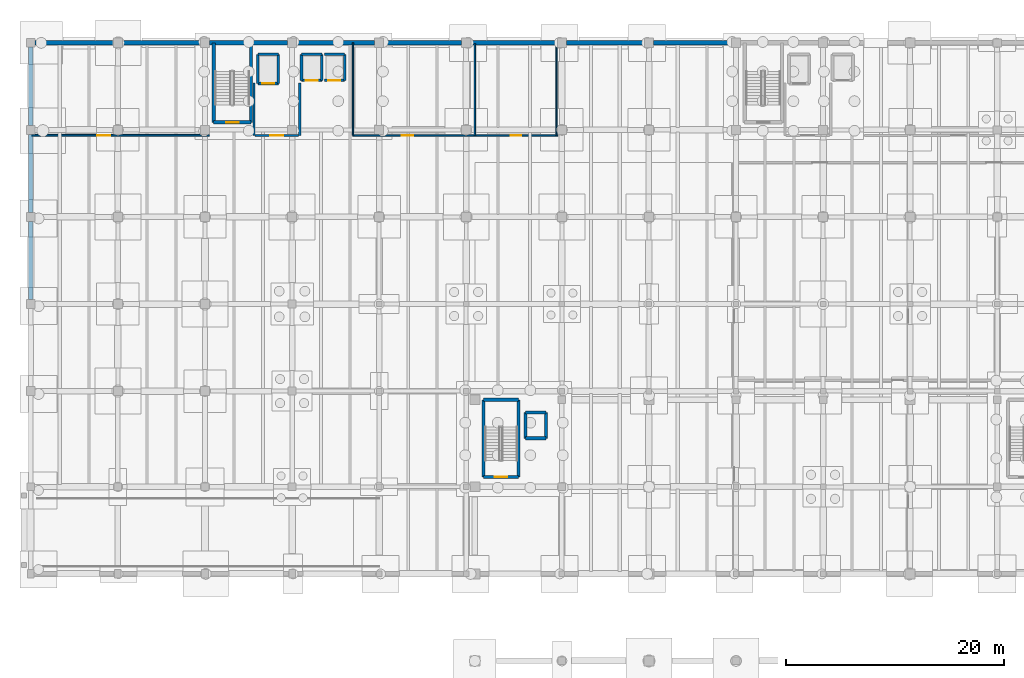
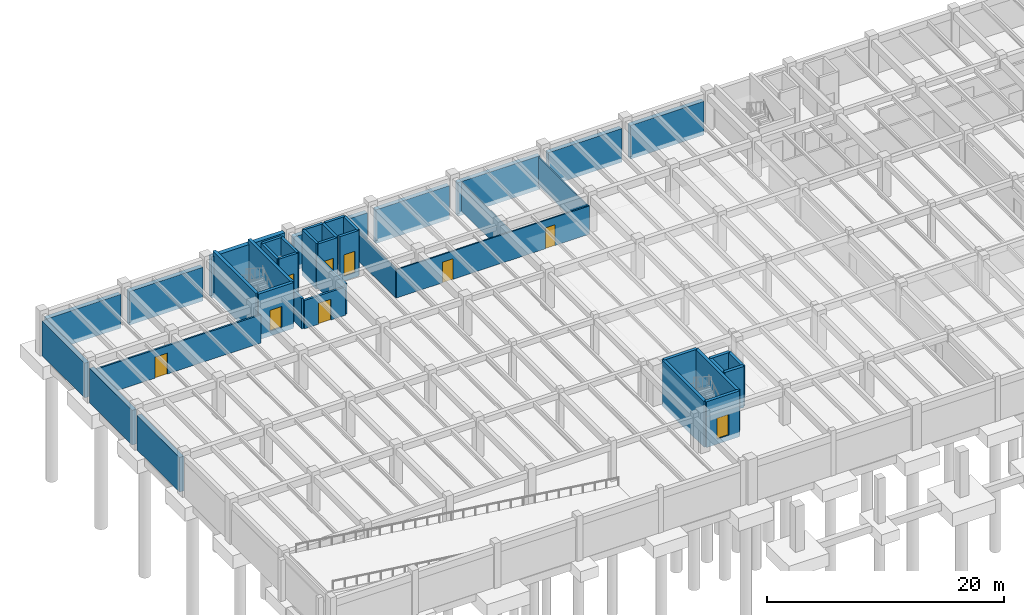
# One storey, part 14 of 25: 41 walls, 9 doors, 9 openings.
"""IFC4 building model written with IfcOpenShell, lengths in metres."""

from ifc_helpers import new_model, si_unit, direction, frame, frame_2d, origin, place, context, subcontext, project, spatial, rectangle, extrude, material, layer, layer_set, type_object, element, fill, save


model = new_model("IFC4")

# Units and contexts
model_context = context("Model", 3, precision=1e-05, world=origin(), true_north=direction((0.0, 1.0)))
body_context = subcontext(model_context, "Body", "Model", "MODEL_VIEW")
ifc_project = project(units=[si_unit("LENGTHUNIT", "METRE"), si_unit("AREAUNIT", "SQUARE_METRE"), si_unit("VOLUMEUNIT", "CUBIC_METRE"), si_unit("PLANEANGLEUNIT", "RADIAN"), si_unit("MASSUNIT", "GRAM", prefix="KILO")], contexts=[model_context])

# Site, building, storey
site_placement = place(None, origin())
site = spatial("IfcSite", under=ifc_project, at=site_placement, CompositionType="ELEMENT")
building_placement = place(site_placement, origin())
building = spatial("IfcBuilding", under=site, at=building_placement, Name="Tlaxcora Railside Police Headquarters", CompositionType="ELEMENT")
storey_placement = place(building_placement, frame((0.0, 0.0, -4.199951171875)))
storey = spatial("IfcBuildingStorey", under=building, at=storey_placement, Name="B1", CompositionType="ELEMENT", Elevation=-4.199951171875)

# Walls
ifc_material_1 = material(Name="Gypsum acoustic partition board")
ifc_layer_1 = layer(ifc_material_1, 0.10791015625, Name="Gypsum acoustic partition board")
ifc_layer_set_1 = layer_set([ifc_layer_1], Name="Gypsum acoustic partition board")
wall_type_1 = type_object("IfcWallType", Name="Interior Partition Wall IW-19", PredefinedType="PARTITIONING", material=ifc_layer_set_1)
wall_1_placement = place(storey_placement, frame((53.5, 84.300048828125, 0.0), z_axis=(0.0, 0.0, 1.0), x_axis=(0.0, 1.0, 0.0)))
element("IfcWall", 1, at=wall_1_placement, inside=storey, type_object=wall_type_1, Name="V5 B1 interior partition 8", PredefinedType="PARTITIONING", context=body_context, shape_type="SweptSolid", body=[
    extrude(rectangle(XDim=8.5, YDim=0.10791015625, at=frame_2d((4.25, 0.0))), origin(), (0.0, 0.0, 1.0), 2.9150390625),
])
ifc_layer_2 = layer(ifc_material_1, 0.1201171875, Name="Gypsum acoustic partition board")
ifc_layer_set_2 = layer_set([ifc_layer_2], Name="Gypsum acoustic partition board")
wall_type_2 = type_object("IfcWallType", Name="Interior Partition Wall IW-37", PredefinedType="PARTITIONING", material=ifc_layer_set_2)
wall_2_placement = place(storey_placement, frame((46.0, 84.300048828125, 0.0), z_axis=(0.0, 0.0, 1.0), x_axis=(0.0, 1.0, 0.0)))
element("IfcWall", 2, at=wall_2_placement, inside=storey, type_object=wall_type_2, Name="V5 B1 interior partition 15", PredefinedType="PARTITIONING", context=body_context, shape_type="SweptSolid", body=[
    extrude(rectangle(XDim=8.419921875, YDim=0.1201171875, at=frame_2d((4.2099609375, 0.0))), origin(), (0.0, 0.0, 1.0), 2.9150390625),
])

# Wall, openings, doors
ifc_layer_3 = layer(ifc_material_1, 0.1298828125, Name="Gypsum acoustic partition board")
ifc_layer_set_3 = layer_set([ifc_layer_3], Name="Gypsum acoustic partition board")
wall_type_3 = type_object("IfcWallType", Name="Interior Partition Wall IW-40", PredefinedType="PARTITIONING", material=ifc_layer_set_3)
wall_3_placement = place(storey_placement, frame((34.800048828125, 84.300048828125, 0.0), z_axis=(0.0, 0.0, 1.0), x_axis=(1.0, 0.0, 0.0)))
wall_3 = element("IfcWall", 3, at=wall_3_placement, inside=storey, type_object=wall_type_3, Name="V5 B1 interior partition 14", PredefinedType="PARTITIONING", context=body_context, shape_type="SweptSolid", body=[
    extrude(rectangle(XDim=18.800048828125, YDim=0.1298828125, at=frame_2d((9.39990234375, 0.0))), origin(), (0.0, 0.0, 1.0), 2.9150390625),
])
opening_1_placement = place(wall_3_placement, frame((4.5, 0.0, 0.0)))
opening_1 = element("IfcOpeningElement", 4, at=opening_1_placement, cuts=wall_3, Name="Opening D-B1-069", PredefinedType="OPENING", context=body_context, shape_type="SweptSolid", body=[
    extrude(rectangle(XDim=1.02001953125, YDim=2.1201171875, at=frame_2d((0.510009765625, 1.06005859375))), frame((0.0, 0.074951171875, 0.0), z_axis=(0.0, -1.0, 0.0), x_axis=(1.0, 0.0, 0.0)), (0.0, 0.0, 1.0), 0.14990234375),
])
opening_2_placement = place(wall_3_placement, frame((14.5, 0.0, 0.0)))
opening_2 = element("IfcOpeningElement", 5, at=opening_2_placement, cuts=wall_3, Name="Opening D-B1-070", PredefinedType="OPENING", context=body_context, shape_type="SweptSolid", body=[
    extrude(rectangle(XDim=0.949951171875, YDim=2.14990234375, at=frame_2d((0.47509765625, 1.074951171875))), frame((0.0, 0.074951171875, 0.0), z_axis=(0.0, -1.0, 0.0), x_axis=(1.0, 0.0, 0.0)), (0.0, 0.0, 1.0), 0.14990234375),
])
ifc_material_2 = material(Name="Steel ASTM A992 Grade 50", Category="steel")
door_type_1 = type_object("IfcDoorType", Name="Swing or Sliding Personnel Door ID-31", OperationType="NOTDEFINED", PredefinedType="DOOR", material=ifc_material_2)
door_1_placement = place(opening_2_placement, origin())
door_1 = element("IfcDoor", 6, at=door_1_placement, inside=storey, type_object=door_type_1, Name="V5 B1 door D-B1-070", OperationType="SINGLE_SWING_RIGHT", OverallHeight=2.14990234375, OverallWidth=0.949951171875, PredefinedType="DOOR", context=body_context, shape_type="SweptSolid", body=[
    extrude(rectangle(XDim=0.949951171875, YDim=2.14990234375, at=frame_2d((0.47509765625, 1.074951171875))), frame((0.0, 0.02490234375, 0.0), z_axis=(0.0, -1.0, 0.0), x_axis=(1.0, 0.0, 0.0)), (0.0, 0.0, 1.0), 0.050048828125),
])
fill(opening_2, door_1)
door_type_2 = type_object("IfcDoorType", Name="Swing or Sliding Personnel Door ID-48", OperationType="NOTDEFINED", PredefinedType="DOOR", material=ifc_material_2)
door_2_placement = place(opening_1_placement, origin())
door_2 = element("IfcDoor", 7, at=door_2_placement, inside=storey, type_object=door_type_2, Name="V5 B1 door D-B1-069", OperationType="SINGLE_SWING_LEFT", OverallHeight=2.1201171875, OverallWidth=1.02001953125, PredefinedType="DOOR", context=body_context, shape_type="SweptSolid", body=[
    extrude(rectangle(XDim=1.02001953125, YDim=2.1201171875, at=frame_2d((0.510009765625, 1.06005859375))), frame((0.0, 0.02490234375, 0.0), z_axis=(0.0, -1.0, 0.0), x_axis=(1.0, 0.0, 0.0)), (0.0, 0.0, 1.0), 0.050048828125),
])
fill(opening_1, door_2)

# Wall, opening, door
ifc_material_3 = material(Name="Pressed clay brick masonry", Category="masonry")
ifc_layer_4 = layer(ifc_material_3, 0.199951171875, Name="Pressed clay brick masonry")
ifc_layer_set_4 = layer_set([ifc_layer_4], Name="Pressed clay brick masonry")
wall_type_4 = type_object("IfcWallType", Name="Interior Partition Wall IW-60", PredefinedType="PARTITIONING", material=ifc_layer_set_4)
wall_4_placement = place(storey_placement, frame((25.800048828125, 84.300048828125, 0.0), z_axis=(0.0, 0.0, 1.0), x_axis=(1.0, 0.0, 0.0)))
wall_4 = element("IfcWall", 8, at=wall_4_placement, inside=storey, type_object=wall_type_4, Name="V5 B1 interior partition 1", PredefinedType="PARTITIONING", context=body_context, shape_type="SweptSolid", body=[
    extrude(rectangle(XDim=4.0, YDim=0.199951171875, at=frame_2d((2.0, 0.0))), origin(), (0.0, 0.0, 1.0), 2.9150390625),
])
opening_3_placement = place(wall_4_placement, frame((1.39990234375, 0.0, 0.0)))
opening_3 = element("IfcOpeningElement", 9, at=opening_3_placement, cuts=wall_4, Name="Opening D-B1-059", PredefinedType="OPENING", context=body_context, shape_type="SweptSolid", body=[
    extrude(rectangle(XDim=1.199951171875, YDim=2.14990234375, at=frame_2d((0.60009765625, 1.074951171875))), frame((0.0, 0.10986328125, 0.0), z_axis=(0.0, -1.0, 0.0), x_axis=(1.0, 0.0, 0.0)), (0.0, 0.0, 1.0), 0.219970703125),
])
door_type_3 = type_object("IfcDoorType", Name="Swing or Sliding Personnel Door ID-14", OperationType="NOTDEFINED", PredefinedType="DOOR", material=ifc_material_2)
door_3_placement = place(opening_3_placement, origin())
door_3 = element("IfcDoor", 10, at=door_3_placement, inside=storey, type_object=door_type_3, Name="V5 B1 door D-B1-059", OperationType="DOUBLE_DOOR_SINGLE_SWING", OverallHeight=2.14990234375, OverallWidth=1.199951171875, PredefinedType="DOOR", context=body_context, shape_type="SweptSolid", body=[
    extrude(rectangle(XDim=1.199951171875, YDim=2.14990234375, at=frame_2d((0.60009765625, 1.074951171875))), frame((0.0, 0.02490234375, 0.0), z_axis=(0.0, -1.0, 0.0), x_axis=(1.0, 0.0, 0.0)), (0.0, 0.0, 1.0), 0.050048828125),
])
fill(opening_3, door_3)

# Walls
wall_5_placement = place(storey_placement, frame((25.699951171875, 84.300048828125, 0.0), z_axis=(0.0, 0.0, 1.0), x_axis=(0.0, 1.0, 0.0)))
element("IfcWall", 11, at=wall_5_placement, inside=storey, type_object=wall_type_4, Name="V5 B1 interior partition 2", PredefinedType="PARTITIONING", context=body_context, shape_type="SweptSolid", body=[
    extrude(rectangle(XDim=4.800048828125, YDim=0.199951171875, at=frame_2d((2.39990234375, 0.0))), origin(), (0.0, 0.0, 1.0), 3.114990234375),
])
wall_6_placement = place(storey_placement, frame((29.89990234375, 84.300048828125, 0.0), z_axis=(0.0, 0.0, 1.0), x_axis=(0.0, 1.0, 0.0)))
element("IfcWall", 12, at=wall_6_placement, inside=storey, type_object=wall_type_4, Name="V5 B1 interior partition 3", PredefinedType="PARTITIONING", context=body_context, shape_type="SweptSolid", body=[
    extrude(rectangle(XDim=4.800048828125, YDim=0.199951171875, at=frame_2d((2.39990234375, 0.0))), origin(), (0.0, 0.0, 1.0), 3.1650390625),
])

# Wall, opening, door
ifc_layer_5 = layer(ifc_material_1, 0.159912109375, Name="Gypsum acoustic partition board")
ifc_layer_set_5 = layer_set([ifc_layer_5], Name="Gypsum acoustic partition board")
wall_type_5 = type_object("IfcWallType", Name="Interior Partition Wall IW-73", PredefinedType="PARTITIONING", material=ifc_layer_set_5)
wall_7_placement = place(storey_placement, frame((5.280029296875, 84.300048828125, 0.0), z_axis=(0.0, 0.0, 1.0), x_axis=(1.0, 0.0, 0.0)))
wall_7 = element("IfcWall", 13, at=wall_7_placement, inside=storey, type_object=wall_type_5, Name="V5 B1 interior partition 13", PredefinedType="PARTITIONING", context=body_context, shape_type="SweptSolid", body=[
    extrude(rectangle(XDim=16.320068359375, YDim=0.159912109375, at=frame_2d((8.16015625, 0.0))), origin(), (0.0, 0.0, 1.0), 2.9150390625),
])
opening_4_placement = place(wall_7_placement, frame((6.0, 0.0, 0.0)))
opening_4 = element("IfcOpeningElement", 14, at=opening_4_placement, cuts=wall_7, Name="Opening D-B1-068", PredefinedType="OPENING", context=body_context, shape_type="SweptSolid", body=[
    extrude(rectangle(XDim=1.199951171875, YDim=2.14990234375, at=frame_2d((0.60009765625, 1.074951171875))), frame((0.0, 0.08984375, 0.0), z_axis=(0.0, -1.0, 0.0), x_axis=(1.0, 0.0, 0.0)), (0.0, 0.0, 1.0), 0.179931640625),
])
door_4_placement = place(opening_4_placement, origin())
door_4 = element("IfcDoor", 15, at=door_4_placement, inside=storey, type_object=door_type_3, Name="V5 B1 door D-B1-068", OperationType="DOUBLE_DOOR_SINGLE_SWING", OverallHeight=2.14990234375, OverallWidth=1.199951171875, PredefinedType="DOOR", context=body_context, shape_type="SweptSolid", body=[
    extrude(rectangle(XDim=1.199951171875, YDim=2.14990234375, at=frame_2d((0.60009765625, 1.074951171875))), frame((0.0, 0.02490234375, 0.0), z_axis=(0.0, -1.0, 0.0), x_axis=(1.0, 0.0, 0.0)), (0.0, 0.0, 1.0), 0.050048828125),
])
fill(opening_4, door_4)

# Wall
ifc_layer_6 = layer(ifc_material_1, 0.114990234375, Name="Gypsum acoustic partition board")
ifc_layer_set_6 = layer_set([ifc_layer_6], Name="Gypsum acoustic partition board")
wall_type_6 = type_object("IfcWallType", Name="Interior Partition Wall IW-87", PredefinedType="PARTITIONING", material=ifc_layer_set_6)
wall_8_placement = place(storey_placement, frame((34.800048828125, 84.300048828125, 0.0), z_axis=(0.0, 0.0, 1.0), x_axis=(0.0, 1.0, 0.0)))
element("IfcWall", 16, at=wall_8_placement, inside=storey, type_object=wall_type_6, Name="V5 B1 interior partition 7", PredefinedType="PARTITIONING", context=body_context, shape_type="SweptSolid", body=[
    extrude(rectangle(XDim=8.5, YDim=0.114990234375, at=frame_2d((4.25, 0.0))), origin(), (0.0, 0.0, 1.0), 3.014892578125),
])

# Wall, opening, door
ifc_material_4 = material(Name="Concrete C40/50", Category="concrete")
ifc_layer_7 = layer(ifc_material_4, 0.25, Name="Concrete C40/50")
ifc_layer_set_7 = layer_set([ifc_layer_7], Name="Concrete C40/50")
wall_type_7 = type_object("IfcWallType", Name="Shear Core Wall IW-13", PredefinedType="SHEAR", material=ifc_layer_set_7)
wall_9_placement = place(storey_placement, frame((26.06005859375, 89.06005859375, -0.5), z_axis=(0.0, 0.0, 1.0), x_axis=(1.0, 0.0, 0.0)))
wall_9 = element("IfcWall", 17, at=wall_9_placement, inside=storey, type_object=wall_type_7, Name="Lift FFL-01 B1 shaft wall S", PredefinedType="SHEAR", context=body_context, shape_type="SweptSolid", body=[
    extrude(rectangle(XDim=1.8798828125, YDim=0.25, at=frame_2d((0.93994140625, 0.0))), origin(), (0.0, 0.0, 1.0), 4.699951171875),
])
opening_5_placement = place(wall_9_placement, frame((0.389892578125, 0.0, 0.5)))
opening_5 = element("IfcOpeningElement", 18, at=opening_5_placement, cuts=wall_9, Name="Opening LD-FFL-01-B1", PredefinedType="OPENING", context=body_context, shape_type="SweptSolid", body=[
    extrude(rectangle(XDim=1.10009765625, YDim=2.199951171875, at=frame_2d((0.550048828125, 1.10009765625))), frame((0.0, 0.135009765625, 0.0), z_axis=(0.0, -1.0, 0.0), x_axis=(1.0, 0.0, 0.0)), (0.0, 0.0, 1.0), 0.27001953125),
])
door_type_4 = type_object("IfcDoorType", Name="Swing or Sliding Personnel Door ID-15", OperationType="NOTDEFINED", PredefinedType="DOOR", material=ifc_material_2)
door_5_placement = place(opening_5_placement, origin())
door_5 = element("IfcDoor", 19, at=door_5_placement, inside=storey, type_object=door_type_4, Name="Lift FFL-01 B1 sliding landing door", OperationType="DOUBLE_DOOR_SLIDING", OverallHeight=2.199951171875, OverallWidth=1.10009765625, PredefinedType="DOOR", context=body_context, shape_type="SweptSolid", body=[
    extrude(rectangle(XDim=1.10009765625, YDim=2.199951171875, at=frame_2d((0.550048828125, 1.10009765625))), frame((0.0, 0.02490234375, 0.0), z_axis=(0.0, -1.0, 0.0), x_axis=(1.0, 0.0, 0.0)), (0.0, 0.0, 1.0), 0.050048828125),
])
fill(opening_5, door_5)

# Walls
wall_10_placement = place(storey_placement, frame((27.93994140625, 89.06005859375, -0.5), z_axis=(0.0, 0.0, 1.0), x_axis=(0.0, 1.0, 0.0)))
element("IfcWall", 20, at=wall_10_placement, inside=storey, type_object=wall_type_7, Name="Lift FFL-01 B1 shaft wall E", PredefinedType="SHEAR", context=body_context, shape_type="SweptSolid", body=[
    extrude(rectangle(XDim=2.679931640625, YDim=0.25, at=frame_2d((1.33984375, 0.0))), origin(), (0.0, 0.0, 1.0), 4.699951171875),
])
wall_11_placement = place(storey_placement, frame((27.93994140625, 91.739990234375, -0.5), z_axis=(0.0, 0.0, 1.0), x_axis=(-1.0, 0.0, 0.0)))
element("IfcWall", 21, at=wall_11_placement, inside=storey, type_object=wall_type_7, Name="Lift FFL-01 B1 shaft wall N", PredefinedType="SHEAR", context=body_context, shape_type="SweptSolid", body=[
    extrude(rectangle(XDim=1.8798828125, YDim=0.25, at=frame_2d((0.93994140625, 0.0))), origin(), (0.0, 0.0, 1.0), 4.699951171875),
])
wall_12_placement = place(storey_placement, frame((26.06005859375, 91.739990234375, -0.5), z_axis=(0.0, 0.0, 1.0), x_axis=(0.0, -1.0, 0.0)))
element("IfcWall", 22, at=wall_12_placement, inside=storey, type_object=wall_type_7, Name="Lift FFL-01 B1 shaft wall W", PredefinedType="SHEAR", context=body_context, shape_type="SweptSolid", body=[
    extrude(rectangle(XDim=2.679931640625, YDim=0.25, at=frame_2d((1.33984375, 0.0))), origin(), (0.0, 0.0, 1.0), 4.699951171875),
])

# Wall, opening, door
wall_13_placement = place(storey_placement, frame((30.06005859375, 89.360107421875, -0.5), z_axis=(0.0, 0.0, 1.0), x_axis=(1.0, 0.0, 0.0)))
wall_13 = element("IfcWall", 23, at=wall_13_placement, inside=storey, type_object=wall_type_7, Name="Lift PL-01 B1 shaft wall S", PredefinedType="SHEAR", context=body_context, shape_type="SweptSolid", body=[
    extrude(rectangle(XDim=1.8798828125, YDim=0.25, at=frame_2d((0.93994140625, 0.0))), origin(), (0.0, 0.0, 1.0), 4.699951171875),
])
opening_6_placement = place(wall_13_placement, frame((0.389892578125, 0.0, 0.5)))
opening_6 = element("IfcOpeningElement", 24, at=opening_6_placement, cuts=wall_13, Name="Opening LD-PL-01-B1", PredefinedType="OPENING", context=body_context, shape_type="SweptSolid", body=[
    extrude(rectangle(XDim=1.10009765625, YDim=2.199951171875, at=frame_2d((0.550048828125, 1.10009765625))), frame((0.0, 0.135009765625, 0.0), z_axis=(0.0, -1.0, 0.0), x_axis=(1.0, 0.0, 0.0)), (0.0, 0.0, 1.0), 0.27001953125),
])
door_6_placement = place(opening_6_placement, origin())
door_6 = element("IfcDoor", 25, at=door_6_placement, inside=storey, type_object=door_type_4, Name="Lift PL-01 B1 sliding landing door", OperationType="DOUBLE_DOOR_SLIDING", OverallHeight=2.199951171875, OverallWidth=1.10009765625, PredefinedType="DOOR", context=body_context, shape_type="SweptSolid", body=[
    extrude(rectangle(XDim=1.10009765625, YDim=2.199951171875, at=frame_2d((0.550048828125, 1.10009765625))), frame((0.0, 0.02490234375, 0.0), z_axis=(0.0, -1.0, 0.0), x_axis=(1.0, 0.0, 0.0)), (0.0, 0.0, 1.0), 0.050048828125),
])
fill(opening_6, door_6)

# Walls
wall_14_placement = place(storey_placement, frame((31.93994140625, 89.360107421875, -0.5), z_axis=(0.0, 0.0, 1.0), x_axis=(0.0, 1.0, 0.0)))
element("IfcWall", 26, at=wall_14_placement, inside=storey, type_object=wall_type_7, Name="Lift PL-01 B1 shaft wall E", PredefinedType="SHEAR", context=body_context, shape_type="SweptSolid", body=[
    extrude(rectangle(XDim=2.3798828125, YDim=0.25, at=frame_2d((1.18994140625, 0.0))), origin(), (0.0, 0.0, 1.0), 4.699951171875),
])
wall_15_placement = place(storey_placement, frame((31.93994140625, 91.739990234375, -0.5), z_axis=(0.0, 0.0, 1.0), x_axis=(-1.0, 0.0, 0.0)))
element("IfcWall", 27, at=wall_15_placement, inside=storey, type_object=wall_type_7, Name="Lift PL-01 B1 shaft wall N", PredefinedType="SHEAR", context=body_context, shape_type="SweptSolid", body=[
    extrude(rectangle(XDim=1.8798828125, YDim=0.25, at=frame_2d((0.93994140625, 0.0))), origin(), (0.0, 0.0, 1.0), 4.699951171875),
])
wall_16_placement = place(storey_placement, frame((30.06005859375, 91.739990234375, -0.5), z_axis=(0.0, 0.0, 1.0), x_axis=(0.0, -1.0, 0.0)))
element("IfcWall", 28, at=wall_16_placement, inside=storey, type_object=wall_type_7, Name="Lift PL-01 B1 shaft wall W", PredefinedType="SHEAR", context=body_context, shape_type="SweptSolid", body=[
    extrude(rectangle(XDim=2.3798828125, YDim=0.25, at=frame_2d((1.18994140625, 0.0))), origin(), (0.0, 0.0, 1.0), 4.699951171875),
])

# Wall, opening, door
wall_17_placement = place(storey_placement, frame((32.159912109375, 89.360107421875, -0.5), z_axis=(0.0, 0.0, 1.0), x_axis=(1.0, 0.0, 0.0)))
wall_17 = element("IfcWall", 29, at=wall_17_placement, inside=storey, type_object=wall_type_7, Name="Lift PL-02 B1 shaft wall S", PredefinedType="SHEAR", context=body_context, shape_type="SweptSolid", body=[
    extrude(rectangle(XDim=1.880126953125, YDim=0.25, at=frame_2d((0.93994140625, 0.0))), origin(), (0.0, 0.0, 1.0), 4.699951171875),
])
opening_7_placement = place(wall_17_placement, frame((0.389892578125, 0.0, 0.5)))
opening_7 = element("IfcOpeningElement", 30, at=opening_7_placement, cuts=wall_17, Name="Opening LD-PL-02-B1", PredefinedType="OPENING", context=body_context, shape_type="SweptSolid", body=[
    extrude(rectangle(XDim=1.10009765625, YDim=2.199951171875, at=frame_2d((0.550048828125, 1.10009765625))), frame((0.0, 0.135009765625, 0.0), z_axis=(0.0, -1.0, 0.0), x_axis=(1.0, 0.0, 0.0)), (0.0, 0.0, 1.0), 0.27001953125),
])
door_7_placement = place(opening_7_placement, origin())
door_7 = element("IfcDoor", 31, at=door_7_placement, inside=storey, type_object=door_type_4, Name="Lift PL-02 B1 sliding landing door", OperationType="DOUBLE_DOOR_SLIDING", OverallHeight=2.199951171875, OverallWidth=1.10009765625, PredefinedType="DOOR", context=body_context, shape_type="SweptSolid", body=[
    extrude(rectangle(XDim=1.10009765625, YDim=2.199951171875, at=frame_2d((0.550048828125, 1.10009765625))), frame((0.0, 0.02490234375, 0.0), z_axis=(0.0, -1.0, 0.0), x_axis=(1.0, 0.0, 0.0)), (0.0, 0.0, 1.0), 0.050048828125),
])
fill(opening_7, door_7)

# Walls
wall_18_placement = place(storey_placement, frame((34.0400390625, 89.360107421875, -0.5), z_axis=(0.0, 0.0, 1.0), x_axis=(0.0, 1.0, 0.0)))
element("IfcWall", 32, at=wall_18_placement, inside=storey, type_object=wall_type_7, Name="Lift PL-02 B1 shaft wall E", PredefinedType="SHEAR", context=body_context, shape_type="SweptSolid", body=[
    extrude(rectangle(XDim=2.3798828125, YDim=0.25, at=frame_2d((1.18994140625, 0.0))), origin(), (0.0, 0.0, 1.0), 4.699951171875),
])
wall_19_placement = place(storey_placement, frame((34.0400390625, 91.739990234375, -0.5), z_axis=(0.0, 0.0, 1.0), x_axis=(-1.0, 0.0, 0.0)))
element("IfcWall", 33, at=wall_19_placement, inside=storey, type_object=wall_type_7, Name="Lift PL-02 B1 shaft wall N", PredefinedType="SHEAR", context=body_context, shape_type="SweptSolid", body=[
    extrude(rectangle(XDim=1.880126953125, YDim=0.25, at=frame_2d((0.93994140625, 0.0))), origin(), (0.0, 0.0, 1.0), 4.699951171875),
])

# Wall, opening, door
ifc_layer_8 = layer(ifc_material_4, 0.300048828125, Name="Concrete C40/50")
ifc_layer_set_8 = layer_set([ifc_layer_8], Name="Concrete C40/50")
wall_type_8 = type_object("IfcWallType", Name="Shear Core Wall IW-28", PredefinedType="SHEAR", material=ifc_layer_set_8)
wall_20_placement = place(storey_placement, frame((22.0, 85.5, -0.52001953125), z_axis=(0.0, 0.0, 1.0), x_axis=(1.0, 0.0, 0.0)))
wall_20 = element("IfcWall", 34, at=wall_20_placement, inside=storey, type_object=wall_type_8, Name="CORE-C1 B1 stair core wall S", PredefinedType="SHEAR", context=body_context, shape_type="SweptSolid", body=[
    extrude(rectangle(XDim=3.419921875, YDim=0.300048828125, at=frame_2d((1.7099609375, 0.0))), origin(), (0.0, 0.0, 1.0), 4.719970703125),
])
opening_8_placement = place(wall_20_placement, frame((1.135009765625, 0.0, 0.52001953125)))
opening_8 = element("IfcOpeningElement", 35, at=opening_8_placement, cuts=wall_20, Name="Opening SD-B1-001", PredefinedType="OPENING", context=body_context, shape_type="SweptSolid", body=[
    extrude(rectangle(XDim=1.14990234375, YDim=2.14990234375, at=frame_2d((0.574951171875, 1.074951171875))), frame((0.0, 0.16015625, 0.0), z_axis=(0.0, -1.0, 0.0), x_axis=(1.0, 0.0, 0.0)), (0.0, 0.0, 1.0), 0.320068359375),
])
door_type_5 = type_object("IfcDoorType", Name="Swing or Sliding Personnel Door ID-73", OperationType="NOTDEFINED", PredefinedType="DOOR", material=ifc_material_2)
door_8_placement = place(opening_8_placement, origin())
door_8 = element("IfcDoor", 36, at=door_8_placement, inside=storey, type_object=door_type_5, Name="Stair ST1 B1 enclosure fire door", OperationType="SINGLE_SWING_LEFT", OverallHeight=2.14990234375, OverallWidth=1.14990234375, PredefinedType="DOOR", context=body_context, shape_type="SweptSolid", body=[
    extrude(rectangle(XDim=1.14990234375, YDim=2.14990234375, at=frame_2d((0.574951171875, 1.074951171875))), frame((0.0, 0.02490234375, 0.0), z_axis=(0.0, -1.0, 0.0), x_axis=(1.0, 0.0, 0.0)), (0.0, 0.0, 1.0), 0.050048828125),
])
fill(opening_8, door_8)

# Walls
for number, where, z_axis, x_axis, name in (
    (37, (25.419921875, 85.5, -0.52001953125), (0.0, 0.0, 1.0), (0.0, 1.0, 0.0), "CORE-C1 B1 stair core wall E"),
    (38, (22.0, 92.800048828125, -0.52001953125), (0.0, 0.0, 1.0), (0.0, -1.0, 0.0), "CORE-C1 B1 stair core wall W"),
):
    element("IfcWall", number, at=place(storey_placement, frame(where, z_axis=z_axis, x_axis=x_axis)), inside=storey, type_object=wall_type_8, Name=name, PredefinedType="SHEAR", context=body_context, shape_type="SweptSolid", body=[
        extrude(rectangle(XDim=7.300048828125, YDim=0.300048828125, at=frame_2d((3.64990234375, 0.0))), origin(), (0.0, 0.0, 1.0), 4.719970703125),
    ])

# Wall, opening, door
wall_21_placement = place(storey_placement, frame((46.800048828125, 52.89990234375, -0.52001953125), z_axis=(0.0, 0.0, 1.0), x_axis=(1.0, 0.0, 0.0)))
wall_21 = element("IfcWall", 39, at=wall_21_placement, inside=storey, type_object=wall_type_8, Name="CORE-C4 B1 stair core wall S", PredefinedType="SHEAR", context=body_context, shape_type="SweptSolid", body=[
    extrude(rectangle(XDim=3.219970703125, YDim=0.300048828125, at=frame_2d((1.60986328125, 0.0))), origin(), (0.0, 0.0, 1.0), 4.719970703125),
])
opening_9_placement = place(wall_21_placement, frame((1.034912109375, 0.0, 0.52001953125)))
opening_9 = element("IfcOpeningElement", 40, at=opening_9_placement, cuts=wall_21, Name="Opening SD-B1-031", PredefinedType="OPENING", context=body_context, shape_type="SweptSolid", body=[
    extrude(rectangle(XDim=1.14990234375, YDim=2.14990234375, at=frame_2d((0.574951171875, 1.074951171875))), frame((0.0, 0.16015625, 0.0), z_axis=(0.0, -1.0, 0.0), x_axis=(1.0, 0.0, 0.0)), (0.0, 0.0, 1.0), 0.320068359375),
])
door_9_placement = place(opening_9_placement, origin())
door_9 = element("IfcDoor", 41, at=door_9_placement, inside=storey, type_object=door_type_5, Name="Stair ST4 B1 enclosure fire door", OperationType="SINGLE_SWING_LEFT", OverallHeight=2.14990234375, OverallWidth=1.14990234375, PredefinedType="DOOR", context=body_context, shape_type="SweptSolid", body=[
    extrude(rectangle(XDim=1.14990234375, YDim=2.14990234375, at=frame_2d((0.574951171875, 1.074951171875))), frame((0.0, 0.02490234375, 0.0), z_axis=(0.0, -1.0, 0.0), x_axis=(1.0, 0.0, 0.0)), (0.0, 0.0, 1.0), 0.050048828125),
])
fill(opening_9, door_9)

# Walls
wall_22_placement = place(storey_placement, frame((50.02001953125, 52.89990234375, -0.52001953125), z_axis=(0.0, 0.0, 1.0), x_axis=(0.0, 1.0, 0.0)))
element("IfcWall", 42, at=wall_22_placement, inside=storey, type_object=wall_type_8, Name="CORE-C4 B1 stair core wall E", PredefinedType="SHEAR", context=body_context, shape_type="SweptSolid", body=[
    extrude(rectangle(XDim=7.10009765625, YDim=0.300048828125, at=frame_2d((3.550048828125, 0.0))), origin(), (0.0, 0.0, 1.0), 4.719970703125),
])
wall_23_placement = place(storey_placement, frame((50.02001953125, 60.0, -0.52001953125), z_axis=(0.0, 0.0, 1.0), x_axis=(-1.0, 0.0, 0.0)))
element("IfcWall", 43, at=wall_23_placement, inside=storey, type_object=wall_type_8, Name="CORE-C4 B1 stair core wall N", PredefinedType="SHEAR", context=body_context, shape_type="SweptSolid", body=[
    extrude(rectangle(XDim=3.219970703125, YDim=0.300048828125, at=frame_2d((1.60986328125, 0.0))), origin(), (0.0, 0.0, 1.0), 4.719970703125),
])
wall_24_placement = place(storey_placement, frame((46.800048828125, 60.0, -0.52001953125), z_axis=(0.0, 0.0, 1.0), x_axis=(0.0, -1.0, 0.0)))
element("IfcWall", 44, at=wall_24_placement, inside=storey, type_object=wall_type_8, Name="CORE-C4 B1 stair core wall W", PredefinedType="SHEAR", context=body_context, shape_type="SweptSolid", body=[
    extrude(rectangle(XDim=7.10009765625, YDim=0.300048828125, at=frame_2d((3.550048828125, 0.0))), origin(), (0.0, 0.0, 1.0), 4.719970703125),
])
wall_25_placement = place(storey_placement, frame((50.659912109375, 56.4599609375, -0.52001953125), z_axis=(0.0, 0.0, 1.0), x_axis=(1.0, 0.0, 0.0)))
element("IfcWall", 45, at=wall_25_placement, inside=storey, type_object=wall_type_8, Name="Lift PL-04 B1 substructure support wall S", PredefinedType="SHEAR", context=body_context, shape_type="SweptSolid", body=[
    extrude(rectangle(XDim=1.880126953125, YDim=0.300048828125, at=frame_2d((0.93994140625, 0.0))), origin(), (0.0, 0.0, 1.0), 4.219970703125),
])
wall_26_placement = place(storey_placement, frame((52.5400390625, 56.4599609375, -0.52001953125), z_axis=(0.0, 0.0, 1.0), x_axis=(0.0, 1.0, 0.0)))
element("IfcWall", 46, at=wall_26_placement, inside=storey, type_object=wall_type_8, Name="Lift PL-04 B1 substructure support wall E", PredefinedType="SHEAR", context=body_context, shape_type="SweptSolid", body=[
    extrude(rectangle(XDim=2.380126953125, YDim=0.300048828125, at=frame_2d((1.18994140625, 0.0))), origin(), (0.0, 0.0, 1.0), 4.219970703125),
])
wall_27_placement = place(storey_placement, frame((52.5400390625, 58.840087890625, -0.52001953125), z_axis=(0.0, 0.0, 1.0), x_axis=(-1.0, 0.0, 0.0)))
element("IfcWall", 47, at=wall_27_placement, inside=storey, type_object=wall_type_8, Name="Lift PL-04 B1 substructure support wall N", PredefinedType="SHEAR", context=body_context, shape_type="SweptSolid", body=[
    extrude(rectangle(XDim=1.880126953125, YDim=0.300048828125, at=frame_2d((0.93994140625, 0.0))), origin(), (0.0, 0.0, 1.0), 4.219970703125),
])
wall_28_placement = place(storey_placement, frame((50.659912109375, 58.840087890625, -0.52001953125), z_axis=(0.0, 0.0, 1.0), x_axis=(0.0, -1.0, 0.0)))
element("IfcWall", 48, at=wall_28_placement, inside=storey, type_object=wall_type_8, Name="Lift PL-04 B1 substructure support wall W", PredefinedType="SHEAR", context=body_context, shape_type="SweptSolid", body=[
    extrude(rectangle(XDim=2.380126953125, YDim=0.300048828125, at=frame_2d((1.18994140625, 0.0))), origin(), (0.0, 0.0, 1.0), 4.219970703125),
])
ifc_material_5 = material(Name="Concrete C35/45", Category="concrete")
ifc_layer_9 = layer(ifc_material_5, 0.429931640625, Name="Concrete C35/45")
ifc_layer_set_9 = layer_set([ifc_layer_9], Name="Concrete C35/45")
wall_type_9 = type_object("IfcWallType", Name="Structural Bearing Wall EW-49", PredefinedType="SOLIDWALL", material=ifc_layer_set_9)
for number, where, z_axis, x_axis, name in (
    (49, (69.574951171875, 92.800048828125, -0.43994140625), (0.0, 0.0, 1.0), (-1.0, 0.0, 0.0), "V5 B1 exterior wall 2.4"),
    (50, (61.574951171875, 92.800048828125, -0.43994140625), (0.0, 0.0, 1.0), (-1.0, 0.0, 0.0), "V5 B1 exterior wall 2.5"),
):
    element("IfcWall", number, at=place(storey_placement, frame(where, z_axis=z_axis, x_axis=x_axis)), inside=storey, type_object=wall_type_9, Name=name, PredefinedType="SOLIDWALL", context=body_context, shape_type="SweptSolid", body=[
        extrude(rectangle(XDim=7.14990234375, YDim=0.429931640625, at=frame_2d((3.574951171875, 0.0))), origin(), (0.0, 0.0, 1.0), 3.469970703125),
    ])
wall_29_placement = place(storey_placement, frame((53.574951171875, 92.800048828125, -0.43994140625), z_axis=(0.0, 0.0, 1.0), x_axis=(-1.0, 0.0, 0.0)))
element("IfcWall", 51, at=wall_29_placement, inside=storey, type_object=wall_type_9, Name="V5 B1 exterior wall 2.6", PredefinedType="SOLIDWALL", context=body_context, shape_type="SweptSolid", body=[
    extrude(rectangle(XDim=7.949951171875, YDim=0.429931640625, at=frame_2d((3.97509765625, 0.0))), origin(), (0.0, 0.0, 1.0), 3.469970703125),
])
for number, where, z_axis, x_axis, name in (
    (52, (44.77490234375, 92.800048828125, -0.43994140625), (0.0, 0.0, 1.0), (-1.0, 0.0, 0.0), "V5 B1 exterior wall 2.7"),
    (53, (36.77490234375, 92.800048828125, -0.43994140625), (0.0, 0.0, 1.0), (-1.0, 0.0, 0.0), "V5 B1 exterior wall 2.8"),
):
    element("IfcWall", number, at=place(storey_placement, frame(where, z_axis=z_axis, x_axis=x_axis)), inside=storey, type_object=wall_type_9, Name=name, PredefinedType="SOLIDWALL", context=body_context, shape_type="SweptSolid", body=[
        extrude(rectangle(XDim=7.14990234375, YDim=0.429931640625, at=frame_2d((3.574951171875, 0.0))), origin(), (0.0, 0.0, 1.0), 3.469970703125),
    ])
wall_30_placement = place(storey_placement, frame((28.77490234375, 92.800048828125, -0.43994140625), z_axis=(0.0, 0.0, 1.0), x_axis=(-1.0, 0.0, 0.0)))
element("IfcWall", 54, at=wall_30_placement, inside=storey, type_object=wall_type_9, Name="V5 B1 exterior wall 2.9", PredefinedType="SOLIDWALL", context=body_context, shape_type="SweptSolid", body=[
    extrude(rectangle(XDim=7.14990234375, YDim=0.429931640625, at=frame_2d((3.574951171875, 0.0))), origin(), (0.0, 0.0, 1.0), 4.219970703125),
])
wall_31_placement = place(storey_placement, frame((20.77490234375, 92.800048828125, -0.43994140625), z_axis=(0.0, 0.0, 1.0), x_axis=(-1.0, 0.0, 0.0)))
element("IfcWall", 55, at=wall_31_placement, inside=storey, type_object=wall_type_9, Name="V5 B1 exterior wall 2.10", PredefinedType="SOLIDWALL", context=body_context, shape_type="SweptSolid", body=[
    extrude(rectangle(XDim=7.14990234375, YDim=0.429931640625, at=frame_2d((3.574951171875, 0.0))), origin(), (0.0, 0.0, 1.0), 3.469970703125),
])
wall_32_placement = place(storey_placement, frame((12.77490234375, 92.800048828125, -0.43994140625), z_axis=(0.0, 0.0, 1.0), x_axis=(-1.0, 0.0, 0.0)))
element("IfcWall", 56, at=wall_32_placement, inside=storey, type_object=wall_type_9, Name="V5 B1 exterior wall 2.11", PredefinedType="SOLIDWALL", context=body_context, shape_type="SweptSolid", body=[
    extrude(rectangle(XDim=7.1748046875, YDim=0.429931640625, at=frame_2d((3.58740234375, 0.0))), origin(), (0.0, 0.0, 1.0), 3.469970703125),
])
for number, where, z_axis, x_axis, name in (
    (57, (5.199951171875, 92.39990234375, -0.43994140625), (0.0, 0.0, 1.0), (0.0, -1.0, 0.0), "V5 B1 exterior wall 3.0"),
    (58, (5.199951171875, 84.39990234375, -0.43994140625), (0.0, 0.0, 1.0), (0.0, -1.0, 0.0), "V5 B1 exterior wall 3.1"),
    (59, (5.199951171875, 76.39990234375, -0.43994140625), (0.0, 0.0, 1.0), (0.0, -1.0, 0.0), "V5 B1 exterior wall 3.2"),
):
    element("IfcWall", number, at=place(storey_placement, frame(where, z_axis=z_axis, x_axis=x_axis)), inside=storey, type_object=wall_type_9, Name=name, PredefinedType="SOLIDWALL", context=body_context, shape_type="SweptSolid", body=[
        extrude(rectangle(XDim=7.199951171875, YDim=0.429931640625, at=frame_2d((3.60009765625, 0.0))), origin(), (0.0, 0.0, 1.0), 3.56982421875),
    ])

save(model, "model.ifc")
